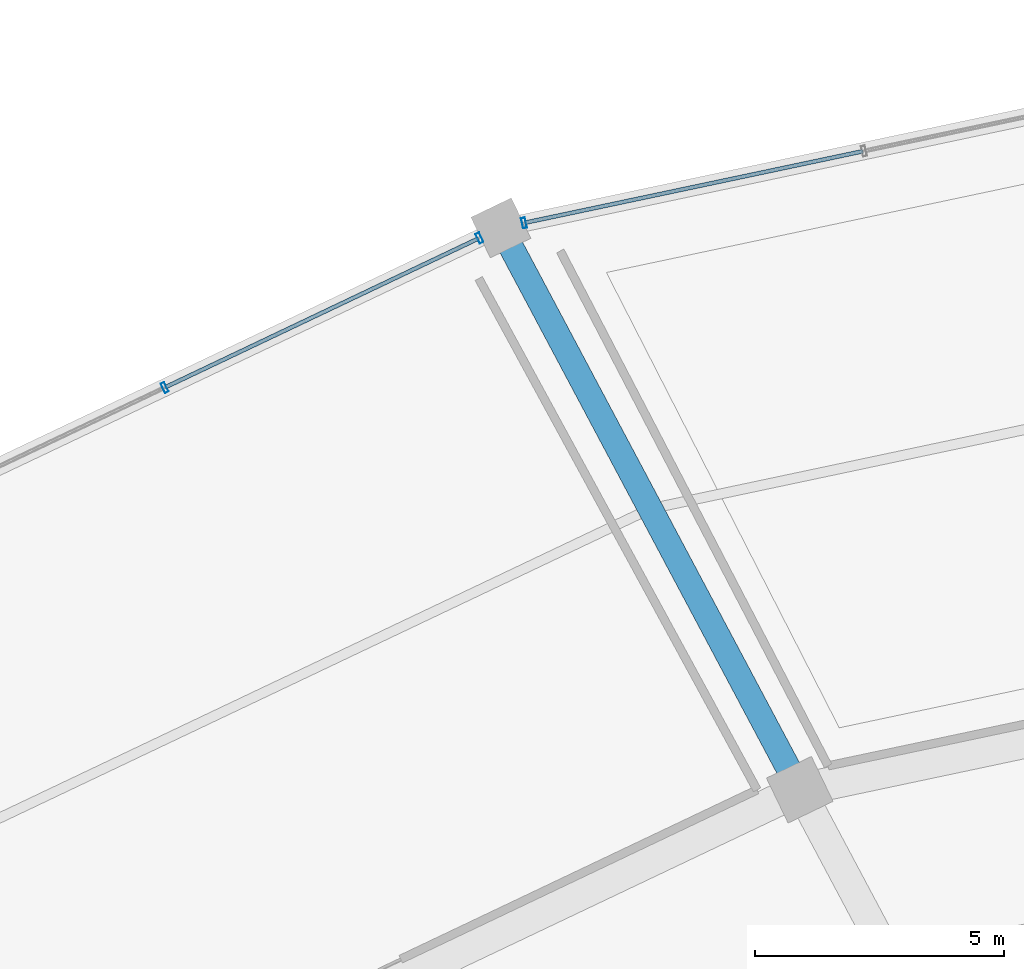
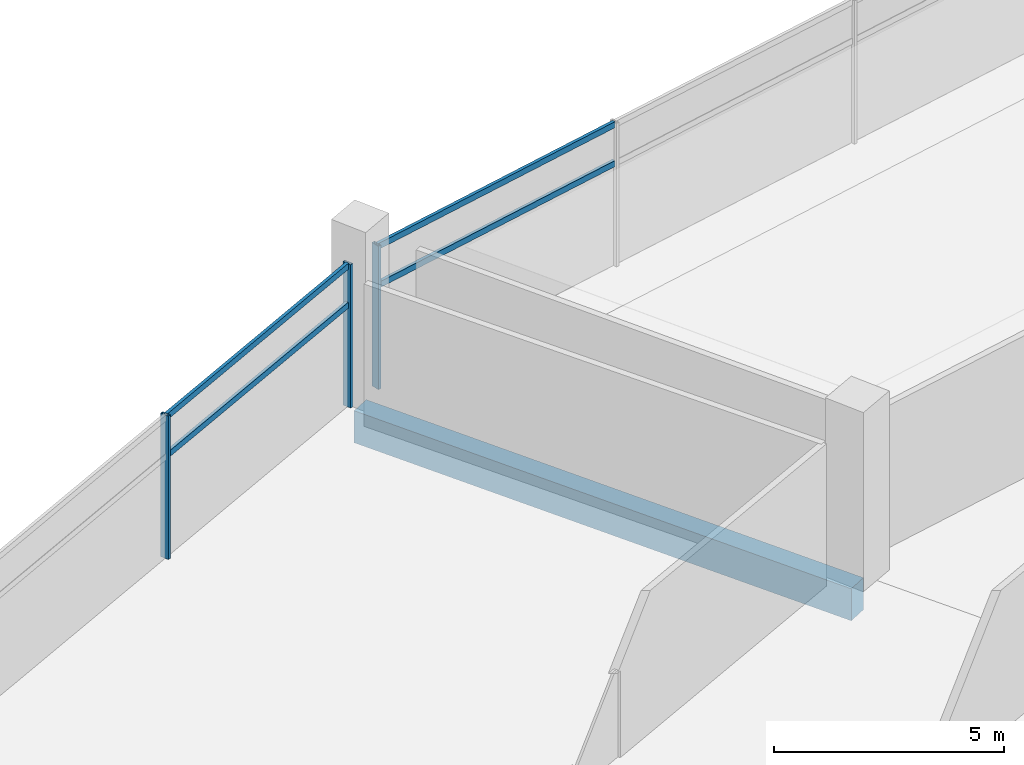
# One storey, part 87 of 171: 7 members, 1 beam, 2 elements without a shape of their own.
"""IFC4 building model written with IfcOpenShell, lengths in metres."""

from ifc_helpers import new_model, si_unit, direction, frame, origin, origin_2d, place, context, subcontext, project, spatial, rectangle, hollow_rectangle, extrude, material, layer, layer_set, material_profile, profile_set, type_object, element, aggregate, save


model = new_model("IFC4")

# Units and contexts
model_context = context("Model", 3, precision=1e-05, world=origin(), true_north=direction((0.0, 1.0)))
body_context = subcontext(model_context, "Body", "Model", "MODEL_VIEW")
ifc_project = project(units=[si_unit("LENGTHUNIT", "METRE"), si_unit("AREAUNIT", "SQUARE_METRE"), si_unit("VOLUMEUNIT", "CUBIC_METRE"), si_unit("PLANEANGLEUNIT", "RADIAN"), si_unit("MASSUNIT", "GRAM", prefix="KILO")], contexts=[model_context])

# Site, building, storey
site_placement = place(None, origin())
site = spatial("IfcSite", under=ifc_project, at=site_placement, CompositionType="ELEMENT")
building_placement = place(site_placement, origin())
building = spatial("IfcBuilding", under=site, at=building_placement, Name="Kazemori Nagisa Stadium", CompositionType="ELEMENT")
storey_placement = place(building_placement, frame((0.0, 0.0, 15.639892578125)))
storey = spatial("IfcBuildingStorey", under=building, at=storey_placement, Name="L03", CompositionType="ELEMENT", Elevation=15.639892578125)

# Beam
ifc_material_1 = material(Name="Concrete C40/50 (Fc42)", Category="concrete")
ifc_material_profile_1 = material_profile(ifc_material_1, rectangle(XDim=0.5, YDim=0.85009765625, at=origin_2d()), Name="RC-BM-500x850")
ifc_profile_set_1 = profile_set([ifc_material_profile_1], Name="Concrete C40/50 (Fc42)")
beam_type = type_object("IfcBeamType", Name="Beam_BG-RC500X850", PredefinedType="BEAM", material=ifc_profile_set_1)
beam_placement = place(storey_placement, frame((86.18798828125, 171.19921875, -0.684814453125), z_axis=(-0.469648511848, 0.882853484628, 0.0), x_axis=(-0.882853484628, -0.469648511848, 0.0)))
element("IfcBeam", 1, at=beam_placement, inside=storey, type_object=beam_type, Name="Radial girder BG-RC500X850 L03 R2-R3-10", PredefinedType="BEAM", context=body_context, shape_type="SweptSolid", body=[
    extrude(rectangle(XDim=0.5, YDim=0.85009765625, at=origin_2d()), origin(), (0.0, 0.0, 1.0), 12.760009765625),
])

# Curtain wall, member
ifc_material_2 = material(Name="Anodised aluminium 6063-T5", Category="aluminium")
ifc_layer = layer(ifc_material_2, 0.2099609375, Name="Anodised aluminium 6063-T5", Category="aluminium")
ifc_layer_set = layer_set([ifc_layer], Name="Anodised aluminium 6063-T5")
curtain_wall_type = type_object("IfcCurtainWallType", Name="CW_L03R3_105", PredefinedType="USERDEFINED", material=ifc_layer_set)
curtain_wall_1_placement = place(storey_placement, origin())
curtain_wall_1 = element("IfcCurtainWall", 2, at=curtain_wall_1_placement, inside=storey, type_object=curtain_wall_type, Name="Unitised curtain wall CW-L03R3-105 L03", ObjectType="UNITISED CURTAIN WALL", PredefinedType="USERDEFINED")
ifc_material_3 = material(Name="Aluminium 6063-T5 anodised", Category="aluminium")
ifc_material_profile_2 = material_profile(ifc_material_3, hollow_rectangle(XDim=0.080078125, YDim=0.2099609375, WallThickness=0.0048828125, at=origin_2d()), Name="ALU-MULL-80x210x5")
ifc_profile_set_2 = profile_set([ifc_material_profile_2], Name="Aluminium 6063-T5 anodised")
member_type_1 = type_object("IfcMemberType", Name="Mullion_M02", PredefinedType="MULLION", material=ifc_profile_set_2)
member_1_placement = place(storey_placement, frame((80.659912109375, 182.5625, 0.0), z_axis=(0.0, 0.0, 1.0), x_axis=(-0.978344955407, -0.206981033502, 0.0)))
member_1 = element("IfcMember", 3, at=member_1_placement, type_object=member_type_1, Name="Curtain wall mullion CW-L03R3-105-M4", PredefinedType="MULLION", context=body_context, shape_type="SweptSolid", body=[
    extrude(hollow_rectangle(XDim=0.080078125, YDim=0.2099609375, WallThickness=0.0048828125, at=origin_2d()), origin(), (0.0, 0.0, 1.0), 3.81005859375),
])

# Curtain wall, members
curtain_wall_2_placement = place(storey_placement, origin())
curtain_wall_2 = element("IfcCurtainWall", 4, at=curtain_wall_2_placement, inside=storey, type_object=curtain_wall_type, Name="Unitised curtain wall CW-L03R3-105 L03", ObjectType="UNITISED CURTAIN WALL", PredefinedType="USERDEFINED")
member_2_placement = place(storey_placement, frame((79.766357421875, 182.260498046875, 0.0), z_axis=(0.0, 0.0, 1.0), x_axis=(-0.903215892654, -0.429186499388, 0.0)))
member_2 = element("IfcMember", 5, at=member_2_placement, type_object=member_type_1, Name="Curtain wall mullion CW-L03R3-105-M1", PredefinedType="MULLION", context=body_context, shape_type="SweptSolid", body=[
    extrude(hollow_rectangle(XDim=0.080078125, YDim=0.2099609375, WallThickness=0.0048828125, at=origin_2d()), origin(), (0.0, 0.0, 1.0), 3.81005859375),
])
member_3_placement = place(storey_placement, frame((73.45458984375, 179.26123046875, 0.0), z_axis=(0.0, 0.0, 1.0), x_axis=(-0.903215892654, -0.429186499388, 0.0)))
member_3 = element("IfcMember", 6, at=member_3_placement, type_object=member_type_1, Name="Curtain wall mullion CW-L03R3-105-M2", PredefinedType="MULLION", context=body_context, shape_type="SweptSolid", body=[
    extrude(hollow_rectangle(XDim=0.080078125, YDim=0.2099609375, WallThickness=0.0048828125, at=origin_2d()), origin(), (0.0, 0.0, 1.0), 3.81005859375),
])

# Member
ifc_material_profile_3 = material_profile(ifc_material_3, hollow_rectangle(XDim=0.080078125, YDim=0.159912109375, WallThickness=0.00390625, at=origin_2d()), Name="ALU-TRAN-80x160x4")
ifc_profile_set_3 = profile_set([ifc_material_profile_3], Name="Aluminium 6063-T5 anodised")
member_type_2 = type_object("IfcMemberType", Name="Transom_T02", PredefinedType="USERDEFINED", material=ifc_profile_set_3)
member_4_placement = place(storey_placement, frame((87.456298828125, 184.00048828125, 2.705322265625), z_axis=(-0.97834174255, -0.206996219252, 0.0), x_axis=(0.206996219252, -0.97834174255, 0.0)))
member_4 = element("IfcMember", 7, at=member_4_placement, type_object=member_type_2, Name="Curtain wall transom CW-L03R3-105-T3-mid", ObjectType="TRANSOM", PredefinedType="USERDEFINED", context=body_context, shape_type="SweptSolid", body=[
    extrude(hollow_rectangle(XDim=0.080078125, YDim=0.159912109375, WallThickness=0.00390625, at=origin_2d()), origin(), (0.0, 0.0, 1.0), 6.9267578125),
])

member_5_placement = place(storey_placement, frame((87.456298828125, 184.00048828125, 3.739990234375), z_axis=(-0.97834174255, -0.206996219252, 0.0), x_axis=(0.206996219252, -0.97834174255, 0.0)))
member_5 = element("IfcMember", 8, at=member_5_placement, type_object=member_type_2, Name="Curtain wall transom CW-L03R3-105-T3-head", ObjectType="TRANSOM", PredefinedType="USERDEFINED", context=body_context, shape_type="SweptSolid", body=[
    extrude(hollow_rectangle(XDim=0.080078125, YDim=0.159912109375, WallThickness=0.00390625, at=origin_2d()), origin(), (0.0, 0.0, 1.0), 6.9267578125),
])

aggregate(curtain_wall_1, [member_1, member_4, member_5])

member_6_placement = place(storey_placement, frame((79.748291015625, 182.251708984375, 2.705322265625), z_axis=(-0.903221322461, -0.429175072264, 0.0), x_axis=(0.429175072264, -0.903221322461, 0.0)))
member_6 = element("IfcMember", 9, at=member_6_placement, type_object=member_type_2, Name="Curtain wall transom CW-L03R3-105-T1-mid", ObjectType="TRANSOM", PredefinedType="USERDEFINED", context=body_context, shape_type="SweptSolid", body=[
    extrude(hollow_rectangle(XDim=0.080078125, YDim=0.159912109375, WallThickness=0.00390625, at=origin_2d()), origin(), (0.0, 0.0, 1.0), 6.947998046875),
])

member_7_placement = place(storey_placement, frame((79.748291015625, 182.251708984375, 3.739990234375), z_axis=(-0.903221322461, -0.429175072264, 0.0), x_axis=(0.429175072264, -0.903221322461, 0.0)))
member_7 = element("IfcMember", 10, at=member_7_placement, type_object=member_type_2, Name="Curtain wall transom CW-L03R3-105-T1-head", ObjectType="TRANSOM", PredefinedType="USERDEFINED", context=body_context, shape_type="SweptSolid", body=[
    extrude(hollow_rectangle(XDim=0.080078125, YDim=0.159912109375, WallThickness=0.00390625, at=origin_2d()), origin(), (0.0, 0.0, 1.0), 6.947998046875),
])

aggregate(curtain_wall_2, [member_2, member_3, member_6, member_7])

save(model, "model.ifc")
